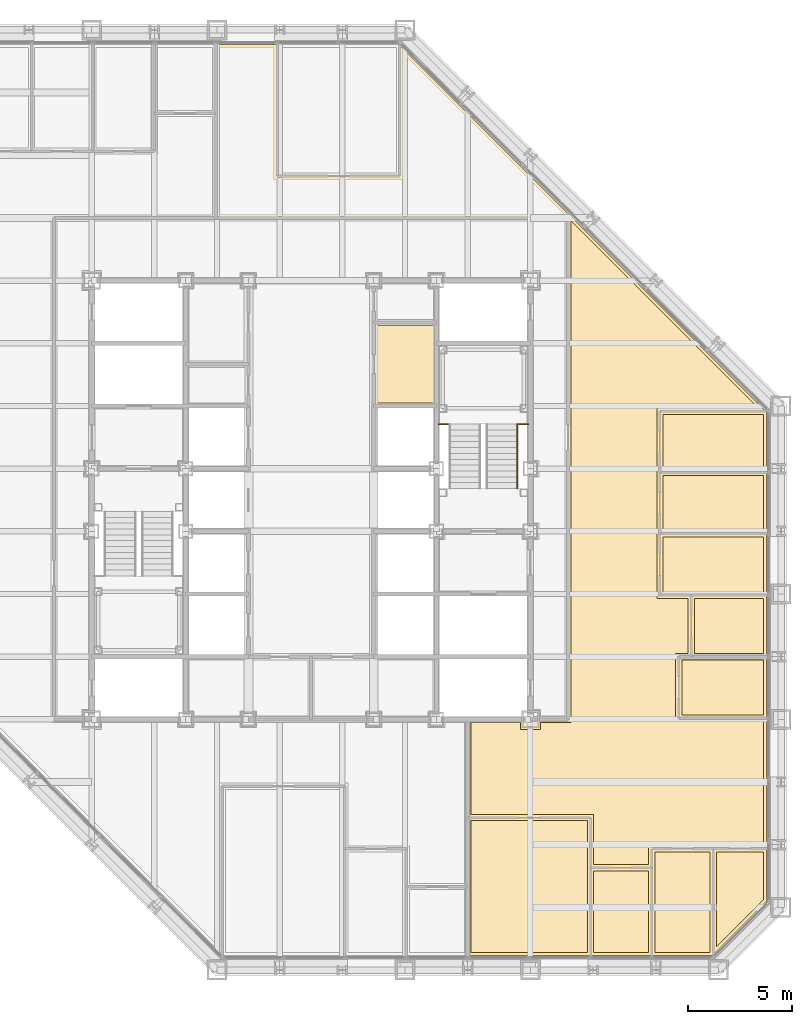
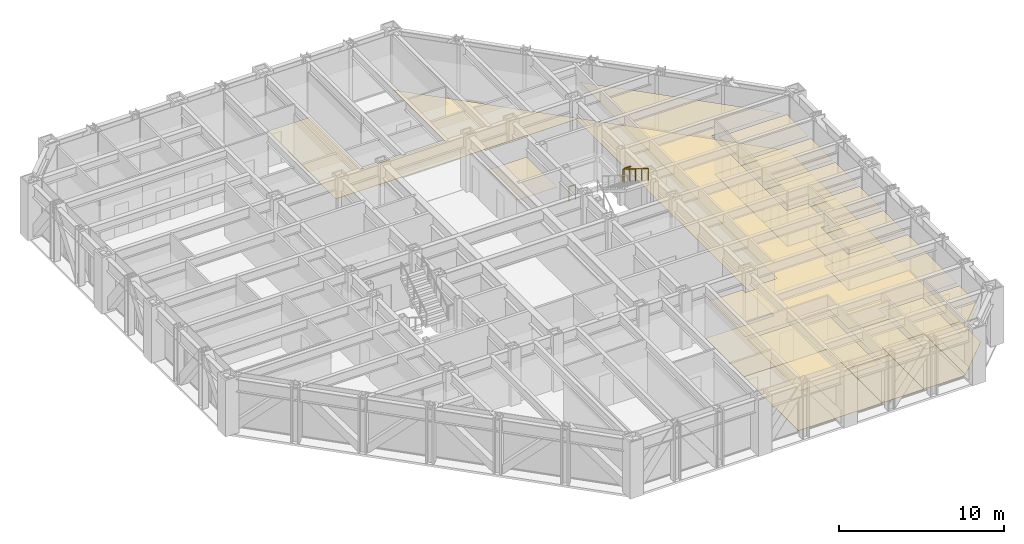
# One storey, part 15 of 16: 21 coverings, 3 railings.
"""IFC4 building model written with IfcOpenShell, lengths in metres."""

from ifc_helpers import new_model, si_unit, direction, frame, origin, origin_2d, place, context, subcontext, project, spatial, polyline, circle, outline, extrude, material, layer, layer_set, type_object, element, save


model = new_model("IFC4")

# Units and contexts
model_context = context("Model", 3, precision=1e-05, world=origin(), true_north=direction((0.0, 1.0)))
body_context = subcontext(model_context, "Body", "Model", "MODEL_VIEW")
ifc_project = project(units=[si_unit("LENGTHUNIT", "METRE"), si_unit("AREAUNIT", "SQUARE_METRE"), si_unit("VOLUMEUNIT", "CUBIC_METRE"), si_unit("PLANEANGLEUNIT", "RADIAN"), si_unit("MASSUNIT", "GRAM", prefix="KILO")], contexts=[model_context])

# Site, building, storey
site_placement = place(None, origin())
site = spatial("IfcSite", under=ifc_project, at=site_placement, CompositionType="ELEMENT")
building_placement = place(site_placement, origin())
building = spatial("IfcBuilding", under=site, at=building_placement, Name="Chuquiago Exchange Tower", CompositionType="ELEMENT")
storey_placement = place(building_placement, frame((0.0, 0.0, 119.39990234375)))
storey = spatial("IfcBuildingStorey", under=building, at=storey_placement, Name="L25", CompositionType="ELEMENT", Elevation=119.39990234375)

# Coverings
ifc_material_1 = material(Name="Mineral fibre tile, 600 x 600, on pale metal grid", Category="mineral fibre")
ifc_layer_1 = layer(ifc_material_1, 0.02001953125)
ifc_layer_set_1 = layer_set([ifc_layer_1], Name="CL1 suspended tile ceiling 20")
covering_type_1 = type_object("IfcCoveringType", Name="CL1 suspended tile ceiling 20", PredefinedType="CEILING", material=ifc_layer_set_1)
covering_1_placement = place(storey_placement, frame((0.0, 0.0, 2.800048828125)))
element("IfcCovering", 1, at=covering_1_placement, inside=storey, type_object=covering_type_1, Name="Ceiling Market data room", PredefinedType="CEILING", context=body_context, shape_type="SweptSolid", body=[
    extrude(outline(polyline([(30.14990234375, 7.14990234375), (35.7255859375, 7.14990234375), (35.7255859375, 0.85009765625), (30.14990234375, 0.85009765625), (30.14990234375, 7.14990234375)])), origin(), (0.0, 0.0, 1.0), 0.02001953125),
])
covering_2_placement = place(storey_placement, frame((0.0, 0.0, 2.800048828125)))
element("IfcCovering", 2, at=covering_2_placement, inside=storey, type_object=covering_type_1, Name="Ceiling Comms room", PredefinedType="CEILING", context=body_context, shape_type="SweptSolid", body=[
    extrude(outline(polyline([(36.025634765625, 4.75), (38.66357421875, 4.75), (38.66357421875, 0.85009765625), (36.025634765625, 0.85009765625), (36.025634765625, 4.75)])), origin(), (0.0, 0.0, 1.0), 0.02001953125),
])
covering_3_placement = place(storey_placement, frame((0.0, 0.0, 2.800048828125)))
element("IfcCovering", 3, at=covering_3_placement, inside=storey, type_object=covering_type_1, Name="Ceiling Office", PredefinedType="CEILING", context=body_context, shape_type="SweptSolid", body=[
    extrude(outline(polyline([(38.963623046875, 0.85009765625), (38.963623046875, 5.64990234375), (41.6015625, 5.64990234375), (41.6015625, 0.85009765625), (38.963623046875, 0.85009765625)])), origin(), (0.0, 0.0, 1.0), 0.02001953125),
])
covering_4_placement = place(storey_placement, frame((0.0, 0.0, 2.800048828125)))
element("IfcCovering", 4, at=covering_4_placement, inside=storey, type_object=covering_type_1, Name="Ceiling Office", PredefinedType="CEILING", context=body_context, shape_type="SweptSolid", body=[
    extrude(outline(polyline([(41.901611328125, 1.103515625), (41.901611328125, 5.64990234375), (44.14990234375, 5.64990234375), (44.14990234375, 3.35205078125), (41.901611328125, 1.103515625)])), origin(), (0.0, 0.0, 1.0), 0.02001953125),
])
covering_5_placement = place(storey_placement, frame((0.0, 0.0, 2.800048828125)))
element("IfcCovering", 5, at=covering_5_placement, inside=storey, type_object=covering_type_1, Name="Ceiling Comms room", PredefinedType="CEILING", context=body_context, shape_type="SweptSolid", body=[
    extrude(outline(polyline([(40.25, 12.212158203125), (40.25, 14.85009765625), (44.14990234375, 14.85009765625), (44.14990234375, 12.212158203125), (40.25, 12.212158203125)])), origin(), (0.0, 0.0, 1.0), 0.02001953125),
])
covering_6_placement = place(storey_placement, frame((0.0, 0.0, 2.800048828125)))
element("IfcCovering", 6, at=covering_6_placement, inside=storey, type_object=covering_type_1, Name="Ceiling Store", PredefinedType="CEILING", context=body_context, shape_type="SweptSolid", body=[
    extrude(outline(polyline([(40.85009765625, 15.14990234375), (40.85009765625, 17.787841796875), (44.14990234375, 17.787841796875), (44.14990234375, 15.14990234375), (40.85009765625, 15.14990234375)])), origin(), (0.0, 0.0, 1.0), 0.02001953125),
])
covering_7_placement = place(storey_placement, frame((0.0, 0.0, 2.800048828125)))
element("IfcCovering", 7, at=covering_7_placement, inside=storey, type_object=covering_type_1, Name="Ceiling Office", PredefinedType="CEILING", context=body_context, shape_type="SweptSolid", body=[
    extrude(outline(polyline([(39.35009765625, 18.087890625), (39.35009765625, 20.7255859375), (44.14990234375, 20.7255859375), (44.14990234375, 18.087890625), (39.35009765625, 18.087890625)])), origin(), (0.0, 0.0, 1.0), 0.02001953125),
])
covering_8_placement = place(storey_placement, frame((0.0, 0.0, 2.800048828125)))
element("IfcCovering", 8, at=covering_8_placement, inside=storey, type_object=covering_type_1, Name="Ceiling Office", PredefinedType="CEILING", context=body_context, shape_type="SweptSolid", body=[
    extrude(outline(polyline([(39.35009765625, 21.025634765625), (39.35009765625, 23.66357421875), (44.14990234375, 23.66357421875), (44.14990234375, 21.025634765625), (39.35009765625, 21.025634765625)])), origin(), (0.0, 0.0, 1.0), 0.02001953125),
])
covering_9_placement = place(storey_placement, frame((0.0, 0.0, 2.800048828125)))
element("IfcCovering", 9, at=covering_9_placement, inside=storey, type_object=covering_type_1, Name="Ceiling Office", PredefinedType="CEILING", context=body_context, shape_type="SweptSolid", body=[
    extrude(outline(polyline([(44.14990234375, 23.963623046875), (39.35009765625, 23.963623046875), (39.35009765625, 26.6015625), (44.14990234375, 26.6015625), (44.14990234375, 23.963623046875)])), origin(), (0.0, 0.0, 1.0), 0.02001953125),
])
covering_10_placement = place(storey_placement, frame((0.0, 0.0, 2.800048828125)))
element("IfcCovering", 10, at=covering_10_placement, inside=storey, type_object=covering_type_1, Name="Ceiling Open office east suite", PredefinedType="CEILING", context=body_context, shape_type="SweptSolid", body=[
    extrude(outline(polyline([(43.896484375, 26.901611328125), (39.050048828125, 26.901611328125), (39.050048828125, 17.787841796875), (40.550048828125, 17.787841796875), (40.550048828125, 15.14990234375), (39.949951171875, 15.14990234375), (39.949951171875, 11.912109375), (44.14990234375, 11.912109375), (44.14990234375, 5.949951171875), (38.66357421875, 5.949951171875), (38.66357421875, 5.050048828125), (36.025634765625, 5.050048828125), (36.025634765625, 7.449951171875), (30.150390625, 7.449951171875), (30.150390625, 11.85009765625), (32.52490234375, 11.849853515625), (32.52490234375, 11.52490234375), (33.47509765625, 11.52490234375), (33.47509765625, 11.849853515625), (34.950439453125, 11.849853515625), (34.950439453125, 35.847412109375), (43.896484375, 26.901611328125)])), origin(), (0.0, 0.0, 1.0), 0.02001953125),
])
ifc_material_2 = material(Name="Moisture resistant plasterboard on metal frame", Category="gypsum")
ifc_layer_2 = layer(ifc_material_2, 0.014892578125)
ifc_layer_set_2 = layer_set([ifc_layer_2], Name="CL2 moisture resistant ceiling 15")
covering_type_2 = type_object("IfcCoveringType", Name="CL2 moisture resistant ceiling 15", PredefinedType="CEILING", material=ifc_layer_set_2)
covering_11_placement = place(storey_placement, frame((0.0, 0.0, 2.60009765625)))
element("IfcCovering", 11, at=covering_11_placement, inside=storey, type_object=covering_type_2, Name="Ceiling Female WC", PredefinedType="CEILING", context=body_context, shape_type="SweptSolid", body=[
    extrude(outline(polyline([(25.64990234375, 27.14990234375), (25.64990234375, 30.85009765625), (28.35009765625, 30.85009765625), (28.35009765625, 27.14990234375), (25.64990234375, 27.14990234375)])), origin(), (0.0, 0.0, 1.0), 0.014892578125),
])
ifc_material_3 = material(Name="Carpet tile, 500 x 500, on the floor slab", Category="textile")
ifc_layer_3 = layer(ifc_material_3, 0.010009765625)
ifc_layer_set_3 = layer_set([ifc_layer_3], Name="FL1 carpet tile 10")
covering_type_3 = type_object("IfcCoveringType", Name="FL1 carpet tile 10", PredefinedType="FLOORING", material=ifc_layer_set_3)
covering_12_placement = place(storey_placement, origin())
element("IfcCovering", 12, at=covering_12_placement, inside=storey, type_object=covering_type_3, Name="Floor finish Market data room", PredefinedType="FLOORING", context=body_context, shape_type="SweptSolid", body=[
    extrude(outline(polyline([(30.0, 0.699951171875), (30.0, 7.300048828125), (35.875732421875, 7.300048828125), (35.875732421875, 0.699951171875), (30.0, 0.699951171875)])), origin(), (0.0, 0.0, 1.0), 0.010009765625),
])
covering_13_placement = place(storey_placement, origin())
element("IfcCovering", 13, at=covering_13_placement, inside=storey, type_object=covering_type_3, Name="Floor finish Office", PredefinedType="FLOORING", context=body_context, shape_type="SweptSolid", body=[
    extrude(outline(polyline([(41.710205078125, 0.699951171875), (38.813720703125, 0.699951171875), (38.813720703125, 5.800048828125), (41.75146484375, 5.800048828125), (41.75146484375, 0.741455078125), (41.710205078125, 0.699951171875)])), origin(), (0.0, 0.0, 1.0), 0.010009765625),
])
covering_14_placement = place(storey_placement, origin())
element("IfcCovering", 14, at=covering_14_placement, inside=storey, type_object=covering_type_3, Name="Floor finish Office", PredefinedType="FLOORING", context=body_context, shape_type="SweptSolid", body=[
    extrude(outline(polyline([(44.300048828125, 3.289794921875), (41.75146484375, 0.741455078125), (41.75146484375, 5.800048828125), (44.300048828125, 5.800048828125), (44.300048828125, 3.289794921875)])), origin(), (0.0, 0.0, 1.0), 0.010009765625),
])
covering_15_placement = place(storey_placement, origin())
element("IfcCovering", 15, at=covering_15_placement, inside=storey, type_object=covering_type_3, Name="Floor finish Office", PredefinedType="FLOORING", context=body_context, shape_type="SweptSolid", body=[
    extrude(outline(polyline([(44.300048828125, 17.93798828125), (39.199951171875, 17.93798828125), (39.199951171875, 20.875732421875), (44.300048828125, 20.875732421875), (44.300048828125, 17.93798828125)])), origin(), (0.0, 0.0, 1.0), 0.010009765625),
])
covering_16_placement = place(storey_placement, origin())
element("IfcCovering", 16, at=covering_16_placement, inside=storey, type_object=covering_type_3, Name="Floor finish Office", PredefinedType="FLOORING", context=body_context, shape_type="SweptSolid", body=[
    extrude(outline(polyline([(44.300048828125, 20.875732421875), (39.199951171875, 20.875732421875), (39.199951171875, 23.813720703125), (44.300048828125, 23.813720703125), (44.300048828125, 20.875732421875)])), origin(), (0.0, 0.0, 1.0), 0.010009765625),
])
covering_17_placement = place(storey_placement, origin())
element("IfcCovering", 17, at=covering_17_placement, inside=storey, type_object=covering_type_3, Name="Floor finish Office", PredefinedType="FLOORING", context=body_context, shape_type="SweptSolid", body=[
    extrude(outline(polyline([(44.300048828125, 26.710205078125), (44.300048828125, 23.813720703125), (39.199951171875, 23.813720703125), (39.199951171875, 26.75146484375), (44.258544921875, 26.75146484375), (44.300048828125, 26.710205078125)])), origin(), (0.0, 0.0, 1.0), 0.010009765625),
])
covering_18_placement = place(storey_placement, origin())
element("IfcCovering", 18, at=covering_18_placement, inside=storey, type_object=covering_type_3, Name="Floor finish Open office east suite", PredefinedType="FLOORING", context=body_context, shape_type="SweptSolid", body=[
    extrude(outline(polyline([(20.875732421875, 44.300048828125), (20.875732421875, 38.0), (26.75146484375, 38.0), (26.75146484375, 44.258544921875), (44.258544921875, 26.75146484375), (39.199951171875, 26.75146484375), (39.199951171875, 17.93798828125), (40.699951171875, 17.93798828125), (40.699951171875, 15.0), (40.10009765625, 15.0), (40.10009765625, 12.06201171875), (44.300048828125, 12.06201171875), (44.300048828125, 5.800048828125), (38.813720703125, 5.800048828125), (38.813720703125, 4.89990234375), (35.875732421875, 4.89990234375), (35.875732421875, 7.300048828125), (30.00048828125, 7.300048828125), (30.00048828125, 12.0), (34.800537109375, 12.0), (34.800537109375, 36.0), (17.9384765625, 36.00048828125), (17.9384765625, 44.300048828125), (20.875732421875, 44.300048828125)])), origin(), (0.0, 0.0, 1.0), 0.010009765625),
])
ifc_material_4 = material(Name="Porcelain floor tile, 600 x 600, on adhesive bed", Category="ceramic")
ifc_layer_4 = layer(ifc_material_4, 0.014892578125)
ifc_layer_set_4 = layer_set([ifc_layer_4], Name="FL2 porcelain tile 15")
covering_type_4 = type_object("IfcCoveringType", Name="FL2 porcelain tile 15", PredefinedType="FLOORING", material=ifc_layer_set_4)
covering_19_placement = place(storey_placement, origin())
element("IfcCovering", 19, at=covering_19_placement, inside=storey, type_object=covering_type_4, Name="Floor finish Comms room", PredefinedType="FLOORING", context=body_context, shape_type="SweptSolid", body=[
    extrude(outline(polyline([(35.875732421875, 0.699951171875), (35.875732421875, 4.89990234375), (38.813720703125, 4.89990234375), (38.813720703125, 0.699951171875), (35.875732421875, 0.699951171875)])), origin(), (0.0, 0.0, 1.0), 0.01513671875),
])
covering_20_placement = place(storey_placement, origin())
element("IfcCovering", 20, at=covering_20_placement, inside=storey, type_object=covering_type_4, Name="Floor finish Comms room", PredefinedType="FLOORING", context=body_context, shape_type="SweptSolid", body=[
    extrude(outline(polyline([(44.300048828125, 12.06201171875), (40.10009765625, 12.06201171875), (40.10009765625, 15.0), (44.300048828125, 15.0), (44.300048828125, 12.06201171875)])), origin(), (0.0, 0.0, 1.0), 0.01513671875),
])
covering_21_placement = place(storey_placement, origin())
element("IfcCovering", 21, at=covering_21_placement, inside=storey, type_object=covering_type_4, Name="Floor finish Store", PredefinedType="FLOORING", context=body_context, shape_type="SweptSolid", body=[
    extrude(outline(polyline([(44.300048828125, 15.0), (40.699951171875, 15.0), (40.699951171875, 17.93798828125), (44.300048828125, 17.93798828125), (44.300048828125, 15.0)])), origin(), (0.0, 0.0, 1.0), 0.01513671875),
])

# Railings
ifc_material_5 = material(Name="Pale metal guard with safety glass infill", Category="glass")
railing_type_1 = type_object("IfcRailingType", Name="GR1 guard 1100", PredefinedType="GUARDRAIL", material=ifc_material_5)
for number, where, name in (
    (22, (28.60009765625, 26.1298828125, 2.10009765625), "Guard ST2 L25 landing 2"),
    (23, (32.445068359375, 26.1298828125, 2.10009765625), "Guard ST2 L25 landing 2"),
):
    element("IfcRailing", number, at=place(storey_placement, frame(where)), inside=storey, type_object=railing_type_1, Name=name, PredefinedType="GUARDRAIL", context=body_context, shape_type="SweptSolid", body=[
        extrude(circle(Radius=0.02392578125, at=origin_2d()), frame((0.0, 0.0, 1.076171875), z_axis=(1.0, 0.0, 0.0), x_axis=(0.0, 1.0, 0.0)), (0.0, 0.0, 1.0), 0.454833984375),
        extrude(circle(Radius=0.02099609375, at=origin_2d()), origin(), (0.0, 0.0, 1.0), 1.052001953125),
        extrude(circle(Radius=0.02099609375, at=origin_2d()), frame((0.454833984375, 0.0, 0.0)), (0.0, 0.0, 1.0), 1.052001953125),
    ])
ifc_material_6 = material(Name="Pale metal handrail", Category="steel")
railing_type_2 = type_object("IfcRailingType", Name="HR1 handrail 900", PredefinedType="HANDRAIL", material=ifc_material_6)
railing_placement = place(storey_placement, frame((32.364990234375, 26.1298828125, 2.275146484375)))
element("IfcRailing", 24, at=railing_placement, inside=storey, type_object=railing_type_2, Name="Handrail ST2 L25 flight 2", PredefinedType="HANDRAIL", context=body_context, shape_type="SweptSolid", body=[
    extrude(circle(Radius=0.02392578125, at=origin_2d()), frame((0.0, 0.0, 0.8759765625), z_axis=(0.0, -0.847979421464, 0.530029150871), x_axis=(1.0, 0.0, 0.0)), (0.0, 0.0, 1.0), 3.632080078125),
    extrude(circle(Radius=0.02099609375, at=origin_2d()), origin(), (0.0, 0.0, 1.0), 0.851806640625),
    extrude(circle(Radius=0.02099609375, at=origin_2d()), frame((0.0, -0.77001953125, 0.481201171875)), (0.0, 0.0, 1.0), 0.851806640625),
    extrude(circle(Radius=0.02099609375, at=origin_2d()), frame((0.0, -1.5400390625, 0.96240234375)), (0.0, 0.0, 1.0), 0.851806640625),
    extrude(circle(Radius=0.02099609375, at=origin_2d()), frame((0.0, -2.309814453125, 1.44384765625)), (0.0, 0.0, 1.0), 0.851806640625),
    extrude(circle(Radius=0.02099609375, at=origin_2d()), frame((0.0, -3.079833984375, 1.925048828125)), (0.0, 0.0, 1.0), 0.851806640625),
])

save(model, "model.ifc")
